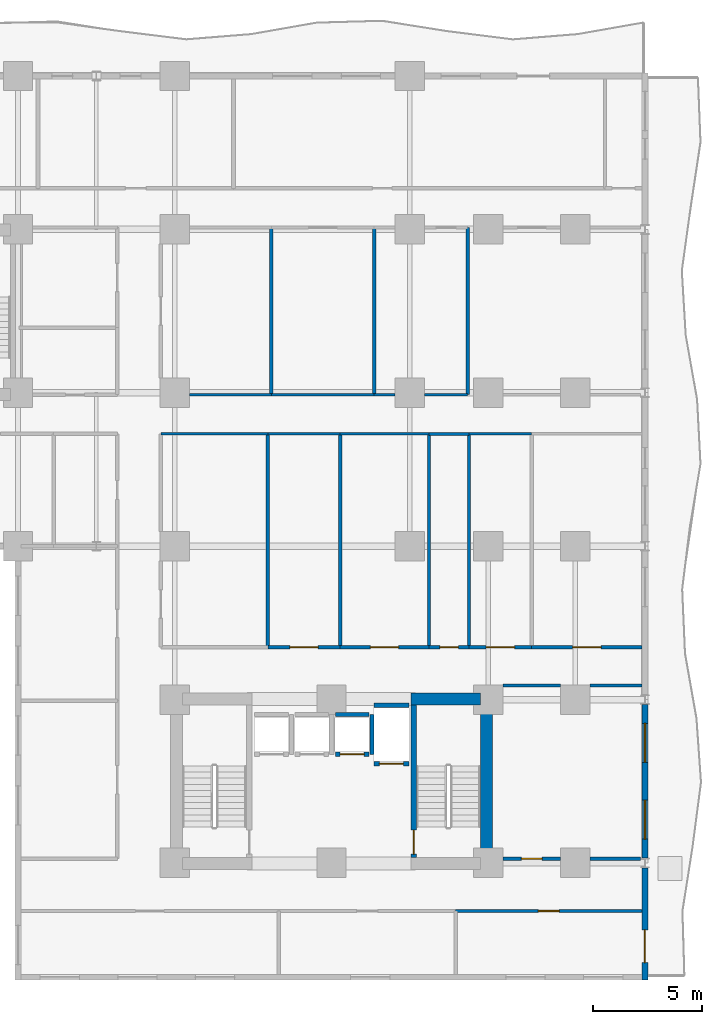
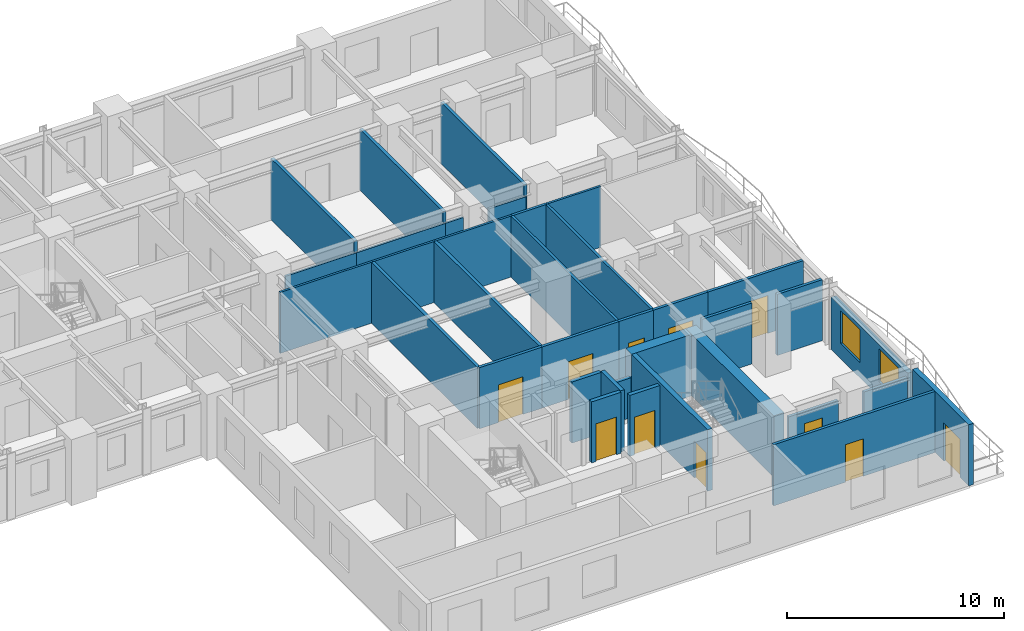
# One storey, part 13 of 19: 36 walls, 11 doors, 2 windows, 13 openings.
"""IFC4 building model written with IfcOpenShell, lengths in metres."""

from ifc_helpers import new_model, si_unit, direction, frame, frame_2d, origin, place, context, subcontext, project, spatial, rectangle, extrude, material, layer, layer_set, type_object, element, fill, save


model = new_model("IFC4")

# Units and contexts
model_context = context("Model", 3, precision=1e-05, world=origin(), true_north=direction((0.0, 1.0)))
body_context = subcontext(model_context, "Body", "Model", "MODEL_VIEW")
ifc_project = project(units=[si_unit("LENGTHUNIT", "METRE"), si_unit("AREAUNIT", "SQUARE_METRE"), si_unit("VOLUMEUNIT", "CUBIC_METRE"), si_unit("PLANEANGLEUNIT", "RADIAN"), si_unit("MASSUNIT", "GRAM", prefix="KILO")], contexts=[model_context])

# Site, building, storey
site_placement = place(None, origin())
site = spatial("IfcSite", under=ifc_project, at=site_placement, CompositionType="ELEMENT")
building_placement = place(site_placement, origin())
building = spatial("IfcBuilding", under=site, at=building_placement, Name="Kaliganga Portal Commons", CompositionType="ELEMENT")
storey_placement = place(building_placement, frame((0.0, 0.0, 32.699951171875)))
storey = spatial("IfcBuildingStorey", under=building, at=storey_placement, Name="L07", CompositionType="ELEMENT", Elevation=32.699951171875)

# Walls
ifc_material_1 = material(Name="Concrete C60/75", Category="concrete")
ifc_layer_1 = layer(ifc_material_1, 0.550048828125)
ifc_layer_set_1 = layer_set([ifc_layer_1], Name="Concrete C60/75")
wall_type_1 = type_object("IfcWallType", Name="WL-CORE-550", PredefinedType="SHEAR", material=ifc_layer_set_1)
wall_1_placement = place(storey_placement, frame((50.324951171875, 6.75, 0.0), z_axis=(0.0, 0.0, 1.0), x_axis=(0.0, 1.0, 0.0)))
element("IfcWall", 1, at=wall_1_placement, inside=storey, type_object=wall_type_1, Name="Core B East Shear Wall L07", PredefinedType="SHEAR", context=body_context, shape_type="SweptSolid", body=[
    extrude(rectangle(XDim=8.10009765625, YDim=0.550048828125, at=frame_2d((4.050048828125, 0.0))), origin(), (0.0, 0.0, 1.0), 3.449951171875),
])
wall_2_placement = place(storey_placement, frame((46.85009765625, 14.574951171875, 0.0), z_axis=(0.0, 0.0, 1.0), x_axis=(1.0, 0.0, 0.0)))
element("IfcWall", 2, at=wall_2_placement, inside=storey, type_object=wall_type_1, Name="Core B N-East Shear Wall L07", PredefinedType="SHEAR", context=body_context, shape_type="SweptSolid", body=[
    extrude(rectangle(XDim=3.199951171875, YDim=0.550048828125, at=frame_2d((1.60009765625, 0.0))), origin(), (0.0, 0.0, 1.0), 3.449951171875),
])

# Wall, opening, door
ifc_material_2 = material(Name="Insulated Aluminium-Clad Spandrel Assembly", Category="aluminium")
ifc_layer_2 = layer(ifc_material_2, 0.260009765625)
ifc_layer_set_2 = layer_set([ifc_layer_2], Name="Insulated Aluminium-Clad Spandrel Assembly")
wall_type_2 = type_object("IfcWallType", Name="WL-EXT-SPAND-260", PredefinedType="STANDARD", material=ifc_layer_set_2)
wall_3_placement = place(storey_placement, frame((57.60009765625, 6.825927734375, 0.0), z_axis=(0.0, 0.0, 1.0), x_axis=(0.0, -1.0, 0.0)))
wall_3 = element("IfcWall", 3, at=wall_3_placement, inside=storey, type_object=wall_type_2, Name="Exterior Envelope Wall L07 P1-E01-S1", PredefinedType="STANDARD", context=body_context, shape_type="SweptSolid", body=[
    extrude(rectangle(XDim=5.156005859375, YDim=0.260009765625, at=frame_2d((2.578125, 0.0))), origin(), (0.0, 0.0, 1.0), 3.429931640625),
])
opening_1_placement = place(wall_3_placement, frame((2.85888671875, 0.0, 0.0)))
opening_1 = element("IfcOpeningElement", 4, at=opening_1_placement, cuts=wall_3, Name="Opening BD-01", PredefinedType="OPENING", context=body_context, shape_type="SweptSolid", body=[
    extrude(rectangle(XDim=1.5, YDim=2.14990234375, at=frame_2d((0.75, 1.074951171875))), frame((0.0, 0.14013671875, 0.0), z_axis=(0.0, -1.0, 0.0), x_axis=(1.0, 0.0, 0.0)), (0.0, 0.0, 1.0), 0.280029296875),
])
ifc_material_3 = material(Name="Anodized Aluminium and Laminated Safety Glass", Category="aluminium")
door_type_1 = type_object("IfcDoorType", Name="DR-BALC-1500", OperationType="SLIDING_TO_LEFT", PredefinedType="DOOR", material=ifc_material_3)
door_1_placement = place(opening_1_placement, origin())
door_1 = element("IfcDoor", 5, at=door_1_placement, inside=storey, type_object=door_type_1, Name="Balcony Sliding Door L07 balc_east", OperationType="SLIDING_TO_LEFT", OverallHeight=2.14990234375, OverallWidth=1.5, PredefinedType="DOOR", context=body_context, shape_type="SweptSolid", body=[
    extrude(rectangle(XDim=1.5, YDim=2.14990234375, at=frame_2d((0.75, 1.074951171875))), frame((0.0, 0.02490234375, 0.0), z_axis=(0.0, -1.0, 0.0), x_axis=(1.0, 0.0, 0.0)), (0.0, 0.0, 1.0), 0.050048828125),
])
fill(opening_1, door_1)

# Wall, openings, windows
wall_4_placement = place(storey_placement, frame((57.60009765625, 14.325927734375, 0.0), z_axis=(0.0, 0.0, 1.0), x_axis=(0.0, -1.0, 0.0)))
wall_4 = element("IfcWall", 6, at=wall_4_placement, inside=storey, type_object=wall_type_2, Name="Exterior Envelope Wall L07 P1-E01-S2", PredefinedType="STANDARD", context=body_context, shape_type="SweptSolid", body=[
    extrude(rectangle(XDim=7.052001953125, YDim=0.260009765625, at=frame_2d((3.52587890625, 0.0))), origin(), (0.0, 0.0, 1.0), 2.929931640625),
])
opening_2_placement = place(wall_4_placement, frame((0.863037109375, 0.0, 0.85009765625)))
opening_2 = element("IfcOpeningElement", 7, at=opening_2_placement, cuts=wall_4, Name="Opening W-01", PredefinedType="OPENING", context=body_context, shape_type="SweptSolid", body=[
    extrude(rectangle(XDim=1.800048828125, YDim=1.85009765625, at=frame_2d((0.89990234375, 0.925048828125))), frame((0.0, 0.14013671875, 0.0), z_axis=(0.0, -1.0, 0.0), x_axis=(1.0, 0.0, 0.0)), (0.0, 0.0, 1.0), 0.280029296875),
])
opening_3_placement = place(wall_4_placement, frame((4.388916015625, 0.0, 0.85009765625)))
opening_3 = element("IfcOpeningElement", 8, at=opening_3_placement, cuts=wall_4, Name="Opening W-01", PredefinedType="OPENING", context=body_context, shape_type="SweptSolid", body=[
    extrude(rectangle(XDim=1.800048828125, YDim=1.85009765625, at=frame_2d((0.89990234375, 0.925048828125))), frame((0.0, 0.14013671875, 0.0), z_axis=(0.0, -1.0, 0.0), x_axis=(1.0, 0.0, 0.0)), (0.0, 0.0, 1.0), 0.280029296875),
])
ifc_material_4 = material(Name="Thermally Broken Aluminium and Low-E Double Glazing", Category="aluminium")
window_type = type_object("IfcWindowType", Name="WIN-STD-1800", PartitioningType="DOUBLE_PANEL_VERTICAL", PredefinedType="WINDOW", material=ifc_material_4)
window_1_placement = place(opening_2_placement, origin())
window_1 = element("IfcWindow", 9, at=window_1_placement, inside=storey, type_object=window_type, Name="Facade Window L07-P1E01S2-00", OverallHeight=1.85009765625, OverallWidth=1.800048828125, PartitioningType="SINGLE_PANEL", PredefinedType="WINDOW", context=body_context, shape_type="SweptSolid", body=[
    extrude(rectangle(XDim=1.800048828125, YDim=1.85009765625, at=frame_2d((0.89990234375, 0.925048828125))), frame((0.0, 0.030029296875, 0.0), z_axis=(0.0, -1.0, 0.0), x_axis=(1.0, 0.0, 0.0)), (0.0, 0.0, 1.0), 0.06005859375),
])
fill(opening_2, window_1)
window_2_placement = place(opening_3_placement, origin())
window_2 = element("IfcWindow", 10, at=window_2_placement, inside=storey, type_object=window_type, Name="Facade Window L07-P1E01S2-01", OverallHeight=1.85009765625, OverallWidth=1.800048828125, PartitioningType="SINGLE_PANEL", PredefinedType="WINDOW", context=body_context, shape_type="SweptSolid", body=[
    extrude(rectangle(XDim=1.800048828125, YDim=1.85009765625, at=frame_2d((0.89990234375, 0.925048828125))), frame((0.0, 0.030029296875, 0.0), z_axis=(0.0, -1.0, 0.0), x_axis=(1.0, 0.0, 0.0)), (0.0, 0.0, 1.0), 0.06005859375),
])
fill(opening_3, window_2)

# Wall, opening, door
ifc_material_5 = material(Name="Fire-Rated Gypsum Board on Steel Stud", Category="steel")
ifc_layer_3 = layer(ifc_material_5, 0.14990234375)
ifc_layer_set_3 = layer_set([ifc_layer_3], Name="Fire-Rated Gypsum Board on Steel Stud")
wall_type_3 = type_object("IfcWallType", Name="WL-PART-CORR-150", PredefinedType="PARTITIONING", material=ifc_layer_set_3)
wall_5_placement = place(storey_placement, frame((48.89990234375, 4.840087890625, 0.0), z_axis=(0.0, 0.0, 1.0), x_axis=(1.0, 0.0, 0.0)))
wall_5 = element("IfcWall", 11, at=wall_5_placement, inside=storey, type_object=wall_type_3, Name="Interior Partition L07-011", PredefinedType="PARTITIONING", context=body_context, shape_type="SweptSolid", body=[
    extrude(rectangle(XDim=8.568115234375, YDim=0.14990234375, at=frame_2d((4.2841796875, 0.0))), origin(), (0.0, 0.0, 1.0), 3.429931640625),
])
opening_4_placement = place(wall_5_placement, frame((3.80908203125, 0.0, 0.0)))
opening_4 = element("IfcOpeningElement", 12, at=opening_4_placement, cuts=wall_5, Name="Opening UD-01", PredefinedType="OPENING", context=body_context, shape_type="SweptSolid", body=[
    extrude(rectangle(XDim=0.949951171875, YDim=2.10009765625, at=frame_2d((0.47509765625, 1.050048828125))), frame((0.0, 0.0849609375, 0.0), z_axis=(0.0, -1.0, 0.0), x_axis=(1.0, 0.0, 0.0)), (0.0, 0.0, 1.0), 0.169921875),
])
ifc_material_6 = material(Name="Solid-Core Timber Acoustic Fire Door", Category="wood")
door_type_2 = type_object("IfcDoorType", Name="DR-UNIT-950", OperationType="NOTDEFINED", PredefinedType="DOOR", material=ifc_material_6)
door_2_placement = place(opening_4_placement, origin())
door_2 = element("IfcDoor", 13, at=door_2_placement, inside=storey, type_object=door_type_2, Name="Interior Door L07-BS03", OperationType="SINGLE_SWING_LEFT", OverallHeight=2.10009765625, OverallWidth=0.949951171875, PredefinedType="DOOR", context=body_context, shape_type="SweptSolid", body=[
    extrude(rectangle(XDim=0.949951171875, YDim=2.10009765625, at=frame_2d((0.47509765625, 1.050048828125))), frame((0.0, 0.02490234375, 0.0), z_axis=(0.0, -1.0, 0.0), x_axis=(1.0, 0.0, 0.0)), (0.0, 0.0, 1.0), 0.050048828125),
])
fill(opening_4, door_2)

wall_6_placement = place(storey_placement, frame((51.074951171875, 7.239990234375, 0.0), z_axis=(0.0, 0.0, 1.0), x_axis=(1.0, 0.0, 0.0)))
wall_6 = element("IfcWall", 14, at=wall_6_placement, inside=storey, type_object=wall_type_3, Name="Interior Partition L07-022", PredefinedType="PARTITIONING", context=body_context, shape_type="SweptSolid", body=[
    extrude(rectangle(XDim=2.650146484375, YDim=0.14990234375, at=frame_2d((1.3251953125, 0.0))), origin(), (0.0, 0.0, 1.0), 2.780029296875),
])
opening_5_placement = place(wall_6_placement, frame((0.85009765625, 0.0, 0.0)))
opening_5 = element("IfcOpeningElement", 15, at=opening_5_placement, cuts=wall_6, Name="Opening UD-01", PredefinedType="OPENING", context=body_context, shape_type="SweptSolid", body=[
    extrude(rectangle(XDim=0.949951171875, YDim=2.10009765625, at=frame_2d((0.47509765625, 1.050048828125))), frame((0.0, 0.0849609375, 0.0), z_axis=(0.0, -1.0, 0.0), x_axis=(1.0, 0.0, 0.0)), (0.0, 0.0, 1.0), 0.169921875),
])
door_3_placement = place(opening_5_placement, origin())
door_3 = element("IfcDoor", 16, at=door_3_placement, inside=storey, type_object=door_type_2, Name="Interior Door L07-BE01", OperationType="SINGLE_SWING_LEFT", OverallHeight=2.10009765625, OverallWidth=0.949951171875, PredefinedType="DOOR", context=body_context, shape_type="SweptSolid", body=[
    extrude(rectangle(XDim=0.949951171875, YDim=2.10009765625, at=frame_2d((0.47509765625, 1.050048828125))), frame((0.0, 0.02490234375, 0.0), z_axis=(0.0, -1.0, 0.0), x_axis=(1.0, 0.0, 0.0)), (0.0, 0.0, 1.0), 0.050048828125),
])
fill(opening_5, door_3)

# Walls
wall_7_placement = place(storey_placement, frame((55.074951171875, 7.239990234375, 0.0), z_axis=(0.0, 0.0, 1.0), x_axis=(1.0, 0.0, 0.0)))
element("IfcWall", 17, at=wall_7_placement, inside=storey, type_object=wall_type_3, Name="Interior Partition L07-023", PredefinedType="PARTITIONING", context=body_context, shape_type="SweptSolid", body=[
    extrude(rectangle(XDim=2.317138671875, YDim=0.14990234375, at=frame_2d((1.15869140625, 0.0))), origin(), (0.0, 0.0, 1.0), 2.780029296875),
])
wall_8_placement = place(storey_placement, frame((51.074951171875, 15.199951171875, 0.0), z_axis=(0.0, 0.0, 1.0), x_axis=(1.0, 0.0, 0.0)))
element("IfcWall", 18, at=wall_8_placement, inside=storey, type_object=wall_type_3, Name="Interior Partition L07-024", PredefinedType="PARTITIONING", context=body_context, shape_type="SweptSolid", body=[
    extrude(rectangle(XDim=2.650146484375, YDim=0.14990234375, at=frame_2d((1.3251953125, 0.0))), origin(), (0.0, 0.0, 1.0), 3.429931640625),
])
wall_9_placement = place(storey_placement, frame((55.074951171875, 15.199951171875, 0.0), z_axis=(0.0, 0.0, 1.0), x_axis=(1.0, 0.0, 0.0)))
element("IfcWall", 19, at=wall_9_placement, inside=storey, type_object=wall_type_3, Name="Interior Partition L07-025", PredefinedType="PARTITIONING", context=body_context, shape_type="SweptSolid", body=[
    extrude(rectangle(XDim=2.39306640625, YDim=0.14990234375, at=frame_2d((1.196533203125, 0.0))), origin(), (0.0, 0.0, 1.0), 3.429931640625),
])

# Wall, opening, door
wall_10_placement = place(storey_placement, frame((52.39990234375, 16.9599609375, 0.0), z_axis=(0.0, 0.0, 1.0), x_axis=(1.0, 0.0, 0.0)))
wall_10 = element("IfcWall", 20, at=wall_10_placement, inside=storey, type_object=wall_type_3, Name="Interior Partition L07-029", PredefinedType="PARTITIONING", context=body_context, shape_type="SweptSolid", body=[
    extrude(rectangle(XDim=5.068115234375, YDim=0.14990234375, at=frame_2d((2.5341796875, 0.0))), origin(), (0.0, 0.0, 1.0), 3.429931640625),
])
opening_6_placement = place(wall_10_placement, frame((1.884033203125, 0.0, 0.0)))
opening_6 = element("IfcOpeningElement", 21, at=opening_6_placement, cuts=wall_10, Name="Opening RD-03", PredefinedType="OPENING", context=body_context, shape_type="SweptSolid", body=[
    extrude(rectangle(XDim=1.300048828125, YDim=2.1201171875, at=frame_2d((0.64990234375, 1.06005859375))), frame((0.0, 0.0849609375, 0.0), z_axis=(0.0, -1.0, 0.0), x_axis=(1.0, 0.0, 0.0)), (0.0, 0.0, 1.0), 0.169921875),
])
ifc_material_7 = material(Name="Glazed Timber Seminar Vision Door", Category="wood")
door_type_3 = type_object("IfcDoorType", Name="DR-STUDY-1300", OperationType="DOUBLE_DOOR_SINGLE_SWING", PredefinedType="DOOR", material=ifc_material_7)
door_4_placement = place(opening_6_placement, origin())
door_4 = element("IfcDoor", 22, at=door_4_placement, inside=storey, type_object=door_type_3, Name="Interior Door L07-BM05B", OperationType="DOUBLE_DOOR_SINGLE_SWING", OverallHeight=2.1201171875, OverallWidth=1.300048828125, PredefinedType="DOOR", context=body_context, shape_type="SweptSolid", body=[
    extrude(rectangle(XDim=1.300048828125, YDim=2.1201171875, at=frame_2d((0.64990234375, 1.06005859375))), frame((0.0, 0.02490234375, 0.0), z_axis=(0.0, -1.0, 0.0), x_axis=(1.0, 0.0, 0.0)), (0.0, 0.0, 1.0), 0.050048828125),
])
fill(opening_6, door_4)

wall_11_placement = place(storey_placement, frame((43.60009765625, 16.9599609375, 0.0), z_axis=(0.0, 0.0, 1.0), x_axis=(1.0, 0.0, 0.0)))
wall_11 = element("IfcWall", 23, at=wall_11_placement, inside=storey, type_object=wall_type_3, Name="Interior Partition L07-044", PredefinedType="PARTITIONING", context=body_context, shape_type="SweptSolid", body=[
    extrude(rectangle(XDim=4.079833984375, YDim=0.14990234375, at=frame_2d((2.0400390625, 0.0))), origin(), (0.0, 0.0, 1.0), 3.429931640625),
])
opening_7_placement = place(wall_11_placement, frame((1.389892578125, 0.0, 0.0)))
opening_7 = element("IfcOpeningElement", 24, at=opening_7_placement, cuts=wall_11, Name="Opening RD-03", PredefinedType="OPENING", context=body_context, shape_type="SweptSolid", body=[
    extrude(rectangle(XDim=1.300048828125, YDim=2.1201171875, at=frame_2d((0.64990234375, 1.06005859375))), frame((0.0, 0.0849609375, 0.0), z_axis=(0.0, -1.0, 0.0), x_axis=(1.0, 0.0, 0.0)), (0.0, 0.0, 1.0), 0.169921875),
])
door_5_placement = place(opening_7_placement, origin())
door_5 = element("IfcDoor", 25, at=door_5_placement, inside=storey, type_object=door_type_3, Name="Interior Door L07-BM03", OperationType="DOUBLE_DOOR_SINGLE_SWING", OverallHeight=2.1201171875, OverallWidth=1.300048828125, PredefinedType="DOOR", context=body_context, shape_type="SweptSolid", body=[
    extrude(rectangle(XDim=1.300048828125, YDim=2.1201171875, at=frame_2d((0.64990234375, 1.06005859375))), frame((0.0, 0.02490234375, 0.0), z_axis=(0.0, -1.0, 0.0), x_axis=(1.0, 0.0, 0.0)), (0.0, 0.0, 1.0), 0.050048828125),
])
fill(opening_7, door_5)

wall_12_placement = place(storey_placement, frame((40.280029296875, 16.9599609375, 0.0), z_axis=(0.0, 0.0, 1.0), x_axis=(1.0, 0.0, 0.0)))
wall_12 = element("IfcWall", 26, at=wall_12_placement, inside=storey, type_object=wall_type_3, Name="Interior Partition L07-047", PredefinedType="PARTITIONING", context=body_context, shape_type="SweptSolid", body=[
    extrude(rectangle(XDim=3.320068359375, YDim=0.14990234375, at=frame_2d((1.66015625, 0.0))), origin(), (0.0, 0.0, 1.0), 3.429931640625),
])
opening_8_placement = place(wall_12_placement, frame((1.010009765625, 0.0, 0.0)))
opening_8 = element("IfcOpeningElement", 27, at=opening_8_placement, cuts=wall_12, Name="Opening RD-03", PredefinedType="OPENING", context=body_context, shape_type="SweptSolid", body=[
    extrude(rectangle(XDim=1.300048828125, YDim=2.1201171875, at=frame_2d((0.64990234375, 1.06005859375))), frame((0.0, 0.0849609375, 0.0), z_axis=(0.0, -1.0, 0.0), x_axis=(1.0, 0.0, 0.0)), (0.0, 0.0, 1.0), 0.169921875),
])
door_6_placement = place(opening_8_placement, origin())
door_6 = element("IfcDoor", 28, at=door_6_placement, inside=storey, type_object=door_type_3, Name="Interior Door L07-BM02", OperationType="DOUBLE_DOOR_SINGLE_SWING", OverallHeight=2.1201171875, OverallWidth=1.300048828125, PredefinedType="DOOR", context=body_context, shape_type="SweptSolid", body=[
    extrude(rectangle(XDim=1.300048828125, YDim=2.1201171875, at=frame_2d((0.64990234375, 1.06005859375))), frame((0.0, 0.02490234375, 0.0), z_axis=(0.0, -1.0, 0.0), x_axis=(1.0, 0.0, 0.0)), (0.0, 0.0, 1.0), 0.050048828125),
])
fill(opening_8, door_6)

wall_13_placement = place(storey_placement, frame((49.52001953125, 16.9599609375, 0.0), z_axis=(0.0, 0.0, 1.0), x_axis=(1.0, 0.0, 0.0)))
wall_13 = element("IfcWall", 29, at=wall_13_placement, inside=storey, type_object=wall_type_3, Name="Interior Partition L07-050", PredefinedType="PARTITIONING", context=body_context, shape_type="SweptSolid", body=[
    extrude(rectangle(XDim=2.8798828125, YDim=0.14990234375, at=frame_2d((1.43994140625, 0.0))), origin(), (0.0, 0.0, 1.0), 3.429931640625),
])
opening_9_placement = place(wall_13_placement, frame((0.7900390625, 0.0, 0.0)))
opening_9 = element("IfcOpeningElement", 30, at=opening_9_placement, cuts=wall_13, Name="Opening RD-03", PredefinedType="OPENING", context=body_context, shape_type="SweptSolid", body=[
    extrude(rectangle(XDim=1.300048828125, YDim=2.1201171875, at=frame_2d((0.64990234375, 1.06005859375))), frame((0.0, 0.0849609375, 0.0), z_axis=(0.0, -1.0, 0.0), x_axis=(1.0, 0.0, 0.0)), (0.0, 0.0, 1.0), 0.169921875),
])
door_7_placement = place(opening_9_placement, origin())
door_7 = element("IfcDoor", 31, at=door_7_placement, inside=storey, type_object=door_type_3, Name="Interior Door L07-BM05", OperationType="DOUBLE_DOOR_SINGLE_SWING", OverallHeight=2.1201171875, OverallWidth=1.300048828125, PredefinedType="DOOR", context=body_context, shape_type="SweptSolid", body=[
    extrude(rectangle(XDim=1.300048828125, YDim=2.1201171875, at=frame_2d((0.64990234375, 1.06005859375))), frame((0.0, 0.02490234375, 0.0), z_axis=(0.0, -1.0, 0.0), x_axis=(1.0, 0.0, 0.0)), (0.0, 0.0, 1.0), 0.050048828125),
])
fill(opening_9, door_7)

wall_14_placement = place(storey_placement, frame((47.679931640625, 16.9599609375, 0.0), z_axis=(0.0, 0.0, 1.0), x_axis=(1.0, 0.0, 0.0)))
wall_14 = element("IfcWall", 32, at=wall_14_placement, inside=storey, type_object=wall_type_3, Name="Interior Partition L07-056", PredefinedType="PARTITIONING", context=body_context, shape_type="SweptSolid", body=[
    extrude(rectangle(XDim=1.840087890625, YDim=0.14990234375, at=frame_2d((0.919921875, 0.0))), origin(), (0.0, 0.0, 1.0), 3.429931640625),
])
opening_10_placement = place(wall_14_placement, frame((0.4951171875, 0.0, 0.0)))
opening_10 = element("IfcOpeningElement", 33, at=opening_10_placement, cuts=wall_14, Name="Opening WD-01", PredefinedType="OPENING", context=body_context, shape_type="SweptSolid", body=[
    extrude(rectangle(XDim=0.85009765625, YDim=2.0400390625, at=frame_2d((0.425048828125, 1.02001953125))), frame((0.0, 0.0849609375, 0.0), z_axis=(0.0, -1.0, 0.0), x_axis=(1.0, 0.0, 0.0)), (0.0, 0.0, 1.0), 0.169921875),
])
ifc_material_8 = material(Name="Moisture-Resistant Laminate Timber Door", Category="wood")
door_type_4 = type_object("IfcDoorType", Name="DR-WET-850", OperationType="NOTDEFINED", PredefinedType="DOOR", material=ifc_material_8)
door_8_placement = place(opening_10_placement, origin())
door_8 = element("IfcDoor", 34, at=door_8_placement, inside=storey, type_object=door_type_4, Name="Interior Door L07-BM04", OperationType="SINGLE_SWING_LEFT", OverallHeight=2.0400390625, OverallWidth=0.85009765625, PredefinedType="DOOR", context=body_context, shape_type="SweptSolid", body=[
    extrude(rectangle(XDim=0.85009765625, YDim=2.0400390625, at=frame_2d((0.425048828125, 1.02001953125))), frame((0.0, 0.02490234375, 0.0), z_axis=(0.0, -1.0, 0.0), x_axis=(1.0, 0.0, 0.0)), (0.0, 0.0, 1.0), 0.050048828125),
])
fill(opening_10, door_8)

# Walls
ifc_material_9 = material(Name="Moisture-Resistant Gypsum Partition", Category="gypsum")
ifc_layer_4 = layer(ifc_material_9, 0.114990234375)
ifc_layer_set_4 = layer_set([ifc_layer_4], Name="Moisture-Resistant Gypsum Partition")
wall_type_4 = type_object("IfcWallType", Name="WL-PART-ROOM-115", PredefinedType="PARTITIONING", material=ifc_layer_set_4)
wall_15_placement = place(storey_placement, frame((36.675048828125, 28.56005859375, 0.0), z_axis=(0.0, 0.0, 1.0), x_axis=(1.0, 0.0, 0.0)))
element("IfcWall", 35, at=wall_15_placement, inside=storey, type_object=wall_type_4, Name="Interior Partition L07-078", PredefinedType="PARTITIONING", context=body_context, shape_type="SweptSolid", body=[
    extrude(rectangle(XDim=3.764892578125, YDim=0.114990234375, at=frame_2d((1.88232421875, 0.0))), origin(), (0.0, 0.0, 1.0), 2.780029296875),
])
wall_16_placement = place(storey_placement, frame((35.360107421875, 26.760009765625, 0.0), z_axis=(0.0, 0.0, 1.0), x_axis=(1.0, 0.0, 0.0)))
element("IfcWall", 36, at=wall_16_placement, inside=storey, type_object=wall_type_4, Name="Interior Partition L07-079", PredefinedType="PARTITIONING", context=body_context, shape_type="SweptSolid", body=[
    extrude(rectangle(XDim=4.919921875, YDim=0.114990234375, at=frame_2d((2.4599609375, 0.0))), origin(), (0.0, 0.0, 1.0), 3.429931640625),
])
wall_17_placement = place(storey_placement, frame((40.43994140625, 28.56005859375, 0.0), z_axis=(0.0, 0.0, 1.0), x_axis=(1.0, 0.0, 0.0)))
element("IfcWall", 37, at=wall_17_placement, inside=storey, type_object=wall_type_4, Name="Interior Partition L07-081", PredefinedType="PARTITIONING", context=body_context, shape_type="SweptSolid", body=[
    extrude(rectangle(XDim=4.719970703125, YDim=0.114990234375, at=frame_2d((2.35986328125, 0.0))), origin(), (0.0, 0.0, 1.0), 2.780029296875),
])
wall_18_placement = place(storey_placement, frame((45.159912109375, 28.56005859375, 0.0), z_axis=(0.0, 0.0, 1.0), x_axis=(1.0, 0.0, 0.0)))
element("IfcWall", 38, at=wall_18_placement, inside=storey, type_object=wall_type_4, Name="Interior Partition L07-084", PredefinedType="PARTITIONING", context=body_context, shape_type="SweptSolid", body=[
    extrude(rectangle(XDim=0.965087890625, YDim=0.114990234375, at=frame_2d((0.482421875, 0.0))), origin(), (0.0, 0.0, 1.0), 2.780029296875),
])
wall_19_placement = place(storey_placement, frame((47.47509765625, 28.56005859375, 0.0), z_axis=(0.0, 0.0, 1.0), x_axis=(1.0, 0.0, 0.0)))
element("IfcWall", 39, at=wall_19_placement, inside=storey, type_object=wall_type_4, Name="Interior Partition L07-085", PredefinedType="PARTITIONING", context=body_context, shape_type="SweptSolid", body=[
    extrude(rectangle(XDim=1.98486328125, YDim=0.114990234375, at=frame_2d((0.992431640625, 0.0))), origin(), (0.0, 0.0, 1.0), 2.780029296875),
])
wall_20_placement = place(storey_placement, frame((43.60009765625, 26.760009765625, 0.0), z_axis=(0.0, 0.0, 1.0), x_axis=(1.0, 0.0, 0.0)))
element("IfcWall", 40, at=wall_20_placement, inside=storey, type_object=wall_type_4, Name="Interior Partition L07-086", PredefinedType="PARTITIONING", context=body_context, shape_type="SweptSolid", body=[
    extrude(rectangle(XDim=4.079833984375, YDim=0.114990234375, at=frame_2d((2.0400390625, 0.0))), origin(), (0.0, 0.0, 1.0), 3.429931640625),
])
wall_21_placement = place(storey_placement, frame((40.280029296875, 26.760009765625, 0.0), z_axis=(0.0, 0.0, 1.0), x_axis=(1.0, 0.0, 0.0)))
element("IfcWall", 41, at=wall_21_placement, inside=storey, type_object=wall_type_4, Name="Interior Partition L07-088", PredefinedType="PARTITIONING", context=body_context, shape_type="SweptSolid", body=[
    extrude(rectangle(XDim=3.320068359375, YDim=0.114990234375, at=frame_2d((1.66015625, 0.0))), origin(), (0.0, 0.0, 1.0), 3.429931640625),
])
wall_22_placement = place(storey_placement, frame((49.52001953125, 26.760009765625, 0.0), z_axis=(0.0, 0.0, 1.0), x_axis=(1.0, 0.0, 0.0)))
element("IfcWall", 42, at=wall_22_placement, inside=storey, type_object=wall_type_4, Name="Interior Partition L07-093", PredefinedType="PARTITIONING", context=body_context, shape_type="SweptSolid", body=[
    extrude(rectangle(XDim=2.8798828125, YDim=0.114990234375, at=frame_2d((1.43994140625, 0.0))), origin(), (0.0, 0.0, 1.0), 3.429931640625),
])
ifc_material_10 = material(Name="Twin-Stud Acoustic Gypsum Partition", Category="gypsum")
ifc_layer_5 = layer(ifc_material_10, 0.1650390625)
ifc_layer_set_5 = layer_set([ifc_layer_5], Name="Twin-Stud Acoustic Gypsum Partition")
wall_type_5 = type_object("IfcWallType", Name="WL-PART-UNIT-165", PredefinedType="PARTITIONING", material=ifc_layer_set_5)
for number, where, z_axis, x_axis, name in (
    (43, (40.280029296875, 16.9599609375, 0.0), (0.0, 0.0, 1.0), (0.0, 1.0, 0.0), "Interior Partition L07-058"),
    (44, (43.60009765625, 16.9599609375, 0.0), (0.0, 0.0, 1.0), (0.0, 1.0, 0.0), "Interior Partition L07-059"),
):
    element("IfcWall", number, at=place(storey_placement, frame(where, z_axis=z_axis, x_axis=x_axis)), inside=storey, type_object=wall_type_5, Name=name, PredefinedType="PARTITIONING", context=body_context, shape_type="SweptSolid", body=[
        extrude(rectangle(XDim=9.800048828125, YDim=0.1650390625, at=frame_2d((4.89990234375, 0.0))), origin(), (0.0, 0.0, 1.0), 3.429931640625),
    ])
for number, where, z_axis, x_axis, name in (
    (45, (40.43994140625, 28.56005859375, 0.0), (0.0, 0.0, 1.0), (0.0, 1.0, 0.0), "Interior Partition L07-065"),
    (46, (45.159912109375, 28.56005859375, 0.0), (0.0, 0.0, 1.0), (0.0, 1.0, 0.0), "Interior Partition L07-066"),
    (47, (49.4599609375, 28.56005859375, 0.0), (0.0, 0.0, 1.0), (0.0, 1.0, 0.0), "Interior Partition L07-067"),
):
    element("IfcWall", number, at=place(storey_placement, frame(where, z_axis=z_axis, x_axis=x_axis)), inside=storey, type_object=wall_type_5, Name=name, PredefinedType="PARTITIONING", context=body_context, shape_type="SweptSolid", body=[
        extrude(rectangle(XDim=7.679931640625, YDim=0.1650390625, at=frame_2d((3.83984375, 0.0))), origin(), (0.0, 0.0, 1.0), 3.429931640625),
    ])
ifc_material_11 = material(Name="Cement-Board Wet-Room Partition", Category="gypsum")
ifc_layer_6 = layer(ifc_material_11, 0.135009765625)
ifc_layer_set_6 = layer_set([ifc_layer_6], Name="Cement-Board Wet-Room Partition")
wall_type_6 = type_object("IfcWallType", Name="WL-PART-WET-135", PredefinedType="PARTITIONING", material=ifc_layer_set_6)
for number, where, z_axis, x_axis, name in (
    (48, (47.679931640625, 16.9599609375, 0.0), (0.0, 0.0, 1.0), (0.0, 1.0, 0.0), "Interior Partition L07-060"),
    (49, (49.52001953125, 16.9599609375, 0.0), (0.0, 0.0, 1.0), (0.0, 1.0, 0.0), "Interior Partition L07-061"),
):
    element("IfcWall", number, at=place(storey_placement, frame(where, z_axis=z_axis, x_axis=x_axis)), inside=storey, type_object=wall_type_6, Name=name, PredefinedType="PARTITIONING", context=body_context, shape_type="SweptSolid", body=[
        extrude(rectangle(XDim=9.800048828125, YDim=0.135009765625, at=frame_2d((4.89990234375, 0.0))), origin(), (0.0, 0.0, 1.0), 3.429931640625),
    ])
wall_23_placement = place(storey_placement, frame((47.679931640625, 26.760009765625, 0.0), z_axis=(0.0, 0.0, 1.0), x_axis=(1.0, 0.0, 0.0)))
element("IfcWall", 50, at=wall_23_placement, inside=storey, type_object=wall_type_6, Name="Interior Partition L07-095", PredefinedType="PARTITIONING", context=body_context, shape_type="SweptSolid", body=[
    extrude(rectangle(XDim=1.840087890625, YDim=0.135009765625, at=frame_2d((0.919921875, 0.0))), origin(), (0.0, 0.0, 1.0), 3.429931640625),
])

# Wall, opening, door
ifc_material_12 = material(Name="Fire-Rated Shaftwall Masonry Assembly", Category="masonry")
ifc_layer_7 = layer(ifc_material_12, 0.199951171875)
ifc_layer_set_7 = layer_set([ifc_layer_7], Name="Fire-Rated Shaftwall Masonry Assembly")
wall_type_7 = type_object("IfcWallType", Name="WL-SHAFT-200", PredefinedType="PARTITIONING", material=ifc_layer_set_7)
wall_24_placement = place(storey_placement, frame((43.375, 12.034912109375, 0.0), z_axis=(0.0, 0.0, 1.0), x_axis=(1.0, 0.0, 0.0)))
wall_24 = element("IfcWall", 51, at=wall_24_placement, inside=storey, type_object=wall_type_7, Name="Lift SH-2 Hoistway Shaft Wall L07-S", PredefinedType="PARTITIONING", context=body_context, shape_type="SweptSolid", body=[
    extrude(rectangle(XDim=1.550048828125, YDim=0.199951171875, at=frame_2d((0.77490234375, 0.0))), origin(), (0.0, 0.0, 1.0), 3.429931640625),
])
opening_11_placement = place(wall_24_placement, frame((0.22509765625, 0.0, 0.0)))
opening_11 = element("IfcOpeningElement", 52, at=opening_11_placement, cuts=wall_24, Name="Opening LD-01", PredefinedType="OPENING", context=body_context, shape_type="SweptSolid", body=[
    extrude(rectangle(XDim=1.10009765625, YDim=2.1201171875, at=frame_2d((0.550048828125, 1.06005859375))), frame((0.0, 0.10986328125, 0.0), z_axis=(0.0, -1.0, 0.0), x_axis=(1.0, 0.0, 0.0)), (0.0, 0.0, 1.0), 0.219970703125),
])
ifc_material_13 = material(Name="Brushed Stainless Steel 316 Lift Landing Door", Category="steel")
door_type_5 = type_object("IfcDoorType", Name="DR-LIFT-1100", OperationType="SLIDING_TO_LEFT", PredefinedType="DOOR", material=ifc_material_13)
door_9_placement = place(opening_11_placement, origin())
door_9 = element("IfcDoor", 53, at=door_9_placement, inside=storey, type_object=door_type_5, Name="Lift SH-2 Sliding Landing Door L07", OperationType="SLIDING_TO_LEFT", OverallHeight=2.1201171875, OverallWidth=1.10009765625, PredefinedType="DOOR", context=body_context, shape_type="SweptSolid", body=[
    extrude(rectangle(XDim=1.10009765625, YDim=2.1201171875, at=frame_2d((0.550048828125, 1.06005859375))), frame((0.0, 0.02490234375, 0.0), z_axis=(0.0, -1.0, 0.0), x_axis=(1.0, 0.0, 0.0)), (0.0, 0.0, 1.0), 0.050048828125),
])
fill(opening_11, door_9)

# Walls
wall_25_placement = place(storey_placement, frame((43.375, 13.864990234375, 0.0), z_axis=(0.0, 0.0, 1.0), x_axis=(1.0, 0.0, 0.0)))
element("IfcWall", 54, at=wall_25_placement, inside=storey, type_object=wall_type_7, Name="Lift SH-2 Hoistway Shaft Wall L07-N", PredefinedType="PARTITIONING", context=body_context, shape_type="SweptSolid", body=[
    extrude(rectangle(XDim=1.550048828125, YDim=0.199951171875, at=frame_2d((0.77490234375, 0.0))), origin(), (0.0, 0.0, 1.0), 3.429931640625),
])
wall_26_placement = place(storey_placement, frame((45.06494140625, 12.034912109375, 0.0), z_axis=(0.0, 0.0, 1.0), x_axis=(0.0, 1.0, 0.0)))
element("IfcWall", 55, at=wall_26_placement, inside=storey, type_object=wall_type_7, Name="Lift SH-2 Hoistway Shaft Wall L07-E", PredefinedType="PARTITIONING", context=body_context, shape_type="SweptSolid", body=[
    extrude(rectangle(XDim=1.830078125, YDim=0.199951171875, at=frame_2d((0.9150390625, 0.0))), origin(), (0.0, 0.0, 1.0), 3.429931640625),
])

# Wall, opening, door
wall_27_placement = place(storey_placement, frame((45.14990234375, 11.610107421875, 0.0), z_axis=(0.0, 0.0, 1.0), x_axis=(1.0, 0.0, 0.0)))
wall_27 = element("IfcWall", 56, at=wall_27_placement, inside=storey, type_object=wall_type_7, Name="Lift SL-B1 Hoistway Shaft Wall L07-S", PredefinedType="PARTITIONING", context=body_context, shape_type="SweptSolid", body=[
    extrude(rectangle(XDim=1.60009765625, YDim=0.199951171875, at=frame_2d((0.800048828125, 0.0))), origin(), (0.0, 0.0, 1.0), 3.429931640625),
])
opening_12_placement = place(wall_27_placement, frame((0.25, 0.0, 0.0)))
opening_12 = element("IfcOpeningElement", 57, at=opening_12_placement, cuts=wall_27, Name="Opening LD-01", PredefinedType="OPENING", context=body_context, shape_type="SweptSolid", body=[
    extrude(rectangle(XDim=1.10009765625, YDim=2.1201171875, at=frame_2d((0.550048828125, 1.06005859375))), frame((0.0, 0.10986328125, 0.0), z_axis=(0.0, -1.0, 0.0), x_axis=(1.0, 0.0, 0.0)), (0.0, 0.0, 1.0), 0.219970703125),
])
door_10_placement = place(opening_12_placement, origin())
door_10 = element("IfcDoor", 58, at=door_10_placement, inside=storey, type_object=door_type_5, Name="Lift SL-B1 Sliding Landing Door L07", OperationType="SLIDING_TO_LEFT", OverallHeight=2.1201171875, OverallWidth=1.10009765625, PredefinedType="DOOR", context=body_context, shape_type="SweptSolid", body=[
    extrude(rectangle(XDim=1.10009765625, YDim=2.1201171875, at=frame_2d((0.550048828125, 1.06005859375))), frame((0.0, 0.02490234375, 0.0), z_axis=(0.0, -1.0, 0.0), x_axis=(1.0, 0.0, 0.0)), (0.0, 0.0, 1.0), 0.050048828125),
])
fill(opening_12, door_10)

# Wall
wall_28_placement = place(storey_placement, frame((45.14990234375, 14.2900390625, 0.0), z_axis=(0.0, 0.0, 1.0), x_axis=(1.0, 0.0, 0.0)))
element("IfcWall", 59, at=wall_28_placement, inside=storey, type_object=wall_type_7, Name="Lift SL-B1 Hoistway Shaft Wall L07-N", PredefinedType="PARTITIONING", context=body_context, shape_type="SweptSolid", body=[
    extrude(rectangle(XDim=1.60009765625, YDim=0.199951171875, at=frame_2d((0.800048828125, 0.0))), origin(), (0.0, 0.0, 1.0), 2.22998046875),
])

# Wall, opening, door
ifc_material_14 = material(Name="Concrete C50/60", Category="concrete")
ifc_layer_8 = layer(ifc_material_14, 0.25)
ifc_layer_set_8 = layer_set([ifc_layer_8], Name="Concrete C50/60")
wall_type_8 = type_object("IfcWallType", Name="WL-STAIR-250", PredefinedType="SHEAR", material=ifc_layer_set_8)
wall_29_placement = place(storey_placement, frame((46.97509765625, 7.300048828125, 0.0), z_axis=(0.0, 0.0, 1.0), x_axis=(0.0, 1.0, 0.0)))
wall_29 = element("IfcWall", 60, at=wall_29_placement, inside=storey, type_object=wall_type_8, Name="Stair B2 Enclosure Shear Wall L07", PredefinedType="SHEAR", context=body_context, shape_type="SweptSolid", body=[
    extrude(rectangle(XDim=7.0, YDim=0.25, at=frame_2d((3.5, 0.0))), origin(), (0.0, 0.0, 1.0), 3.449951171875),
])
opening_13_placement = place(wall_29_placement, frame((0.14990234375, 0.0, 0.0)))
opening_13 = element("IfcOpeningElement", 61, at=opening_13_placement, cuts=wall_29, Name="Opening SD-01", PredefinedType="OPENING", context=body_context, shape_type="SweptSolid", body=[
    extrude(rectangle(XDim=1.10009765625, YDim=2.080078125, at=frame_2d((0.550048828125, 1.0400390625))), frame((0.0, 0.135009765625, 0.0), z_axis=(0.0, -1.0, 0.0), x_axis=(1.0, 0.0, 0.0)), (0.0, 0.0, 1.0), 0.27001953125),
])
ifc_material_15 = material(Name="Galvanized Steel Fire Door Leaf and Frame", Category="steel")
door_type_6 = type_object("IfcDoorType", Name="DR-STAIR-1100", OperationType="NOTDEFINED", PredefinedType="DOOR", material=ifc_material_15)
door_11_placement = place(opening_13_placement, origin())
door_11 = element("IfcDoor", 62, at=door_11_placement, inside=storey, type_object=door_type_6, Name="Protected Stair ST-B2 Fire Door L07", OperationType="SINGLE_SWING_RIGHT", OverallHeight=2.080078125, OverallWidth=1.10009765625, PredefinedType="DOOR", context=body_context, shape_type="SweptSolid", body=[
    extrude(rectangle(XDim=1.10009765625, YDim=2.080078125, at=frame_2d((0.550048828125, 1.0400390625))), frame((0.0, 0.02490234375, 0.0), z_axis=(0.0, -1.0, 0.0), x_axis=(1.0, 0.0, 0.0)), (0.0, 0.0, 1.0), 0.050048828125),
])
fill(opening_13, door_11)

save(model, "model.ifc")
